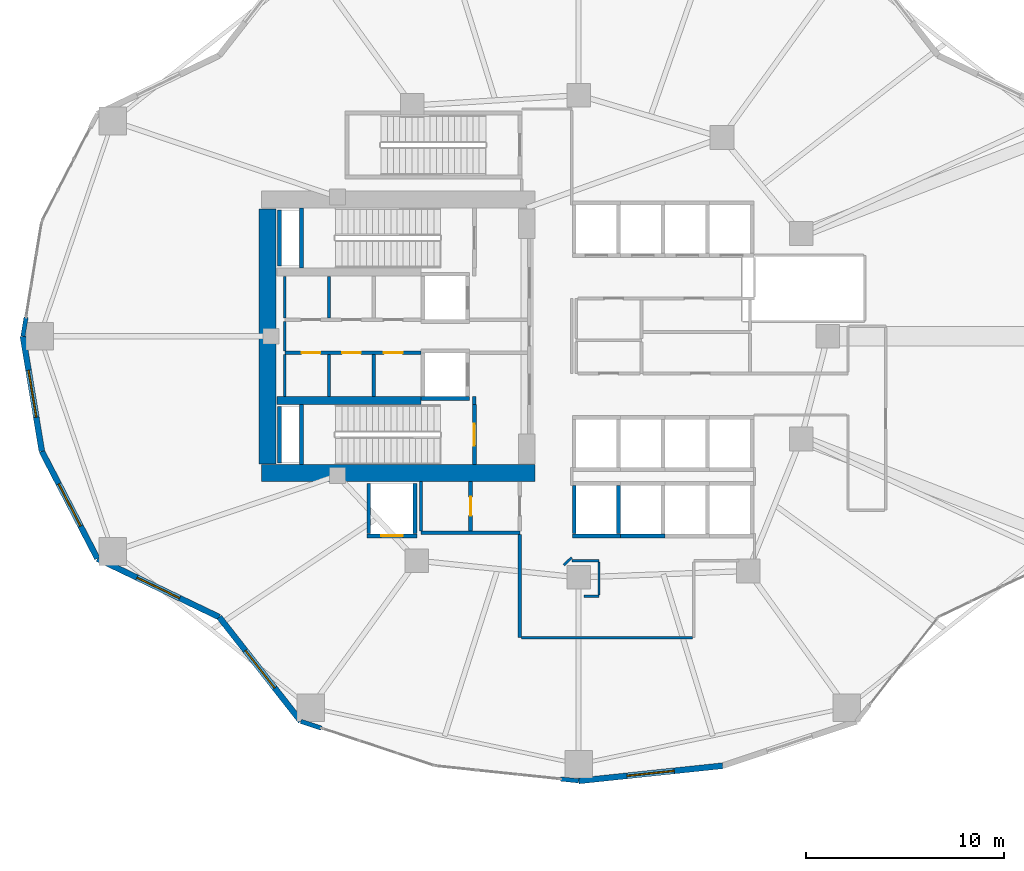
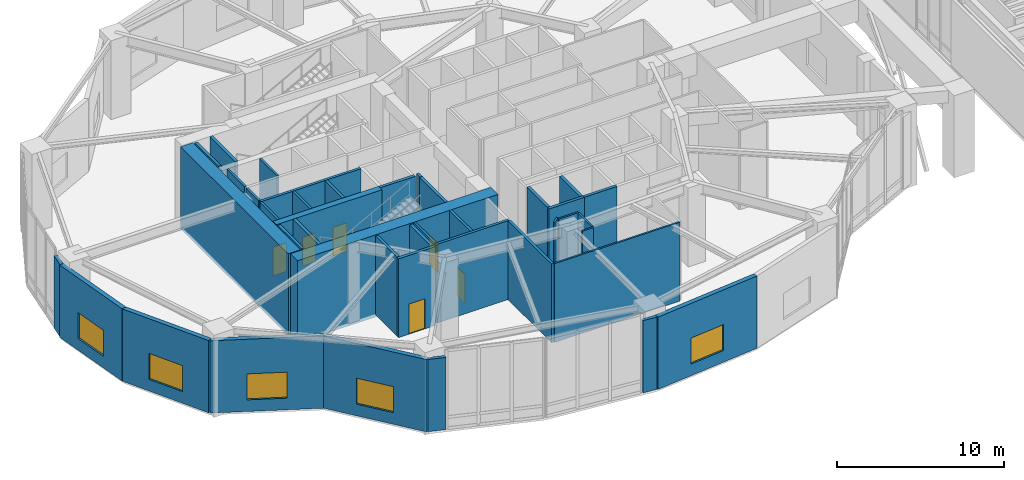
# One storey, part 15 of 25: 41 walls, 6 doors, 5 windows, 11 openings.
"""IFC4 building model written with IfcOpenShell, lengths in metres."""

from ifc_helpers import new_model, si_unit, direction, frame, frame_2d, origin, place, context, subcontext, project, spatial, rectangle, extrude, material, layer, layer_set, type_object, element, fill, save


model = new_model("IFC4")

# Units and contexts
model_context = context("Model", 3, precision=1e-05, world=origin(), true_north=direction((0.0, 1.0)))
body_context = subcontext(model_context, "Body", "Model", "MODEL_VIEW")
ifc_project = project(units=[si_unit("LENGTHUNIT", "METRE"), si_unit("AREAUNIT", "SQUARE_METRE"), si_unit("VOLUMEUNIT", "CUBIC_METRE"), si_unit("PLANEANGLEUNIT", "RADIAN"), si_unit("MASSUNIT", "GRAM", prefix="KILO")], contexts=[model_context])

# Site, building, storey
site_placement = place(None, origin())
site = spatial("IfcSite", under=ifc_project, at=site_placement, CompositionType="ELEMENT")
building_placement = place(site_placement, origin())
building = spatial("IfcBuilding", under=site, at=building_placement, Name="Kolvaren Gate Tower and Convention Centre", CompositionType="ELEMENT")
storey_placement = place(building_placement, frame((0.0, 0.0, 15.0)))
storey = spatial("IfcBuildingStorey", under=building, at=storey_placement, Name="L03", CompositionType="ELEMENT", Elevation=15.0)

# Wall
ifc_material_1 = material(Name="Autoclaved Aerated Masonry Blockwork Class 4 (4.0 MPa)", Category="masonry")
ifc_layer_1 = layer(ifc_material_1, 0.179931640625)
ifc_layer_set_1 = layer_set([ifc_layer_1], Name="Autoclaved Aerated Masonry Blockwork Class 4 (4.0 MPa)")
wall_type_1 = type_object("IfcWallType", Name="ARCH-WL-COMP-180", PredefinedType="SOLIDWALL", material=ifc_layer_set_1)
wall_1_placement = place(storey_placement, frame((24.85009765625, 23.5400390625, 0.0), z_axis=(0.0, 0.0, 1.0), x_axis=(0.0, 1.0, 0.0)))
element("IfcWall", 1, at=wall_1_placement, inside=storey, type_object=wall_type_1, Name="Interior Partition WL-L03-INT-001", PredefinedType="SOLIDWALL", context=body_context, shape_type="SweptSolid", body=[
    extrude(rectangle(XDim=0.419921875, YDim=0.179931640625, at=frame_2d((0.2099609375, 0.0))), origin(), (0.0, 0.0, 1.0), 5.760009765625),
])

# Wall, openings, doors
wall_2_placement = place(storey_placement, frame((15.25, 26.159912109375, 0.0), z_axis=(0.0, 0.0, 1.0), x_axis=(1.0, 0.0, 0.0)))
wall_2 = element("IfcWall", 2, at=wall_2_placement, inside=storey, type_object=wall_type_1, Name="Interior Partition WL-L03-INT-005", PredefinedType="SOLIDWALL", context=body_context, shape_type="SweptSolid", body=[
    extrude(rectangle(XDim=6.89990234375, YDim=0.179931640625, at=frame_2d((3.449951171875, 0.0))), origin(), (0.0, 0.0, 1.0), 5.760009765625),
])
opening_1_placement = place(wall_2_placement, frame((5.02001953125, 0.0, 0.0)))
opening_1 = element("IfcOpeningElement", 3, at=opening_1_placement, cuts=wall_2, Name="Opening DR-01", PredefinedType="OPENING", context=body_context, shape_type="SweptSolid", body=[
    extrude(rectangle(XDim=0.949951171875, YDim=2.10009765625, at=frame_2d((0.47509765625, 1.050048828125))), frame((0.0, 0.099853515625, 0.0), z_axis=(0.0, -1.0, 0.0), x_axis=(1.0, 0.0, 0.0)), (0.0, 0.0, 1.0), 0.199951171875),
])
opening_2_placement = place(wall_2_placement, frame((0.85498046875, 0.0, 0.0)))
opening_2 = element("IfcOpeningElement", 4, at=opening_2_placement, cuts=wall_2, Name="Opening DR-01", PredefinedType="OPENING", context=body_context, shape_type="SweptSolid", body=[
    extrude(rectangle(XDim=0.949951171875, YDim=2.10009765625, at=frame_2d((0.47509765625, 1.050048828125))), frame((0.0, 0.099853515625, 0.0), z_axis=(0.0, -1.0, 0.0), x_axis=(1.0, 0.0, 0.0)), (0.0, 0.0, 1.0), 0.199951171875),
])
opening_3_placement = place(wall_2_placement, frame((2.89990234375, 0.0, 0.0)))
opening_3 = element("IfcOpeningElement", 5, at=opening_3_placement, cuts=wall_2, Name="Opening DR-01", PredefinedType="OPENING", context=body_context, shape_type="SweptSolid", body=[
    extrude(rectangle(XDim=0.949951171875, YDim=2.10009765625, at=frame_2d((0.47509765625, 1.050048828125))), frame((0.0, 0.099853515625, 0.0), z_axis=(0.0, -1.0, 0.0), x_axis=(1.0, 0.0, 0.0)), (0.0, 0.0, 1.0), 0.199951171875),
])
ifc_material_2 = material(Name="Painted Architectural Steelwork ASTM A500 Grade C 345 MPa", Category="steel")
door_type_1 = type_object("IfcDoorType", Name="ARCH-DR-RISER-950", OperationType="SINGLE_SWING_RIGHT", PredefinedType="DOOR", material=ifc_material_2)
door_1_placement = place(opening_1_placement, origin())
door_1 = element("IfcDoor", 6, at=door_1_placement, inside=storey, type_object=door_type_1, Name="Domestic Water Meter Closet Door", OperationType="SINGLE_SWING_RIGHT", OverallHeight=2.10009765625, OverallWidth=0.949951171875, PredefinedType="DOOR", context=body_context, shape_type="SweptSolid", body=[
    extrude(rectangle(XDim=0.949951171875, YDim=2.10009765625, at=frame_2d((0.47509765625, 1.050048828125))), frame((0.0, 0.02490234375, 0.0), z_axis=(0.0, -1.0, 0.0), x_axis=(1.0, 0.0, 0.0)), (0.0, 0.0, 1.0), 0.050048828125),
])
fill(opening_1, door_1)
door_2_placement = place(opening_2_placement, origin())
door_2 = element("IfcDoor", 7, at=door_2_placement, inside=storey, type_object=door_type_1, Name="Beverage Service Pantry Door", OperationType="SINGLE_SWING_LEFT", OverallHeight=2.10009765625, OverallWidth=0.949951171875, PredefinedType="DOOR", context=body_context, shape_type="SweptSolid", body=[
    extrude(rectangle(XDim=0.949951171875, YDim=2.10009765625, at=frame_2d((0.47509765625, 1.050048828125))), frame((0.0, 0.02490234375, 0.0), z_axis=(0.0, -1.0, 0.0), x_axis=(1.0, 0.0, 0.0)), (0.0, 0.0, 1.0), 0.050048828125),
])
fill(opening_2, door_2)
door_3_placement = place(opening_3_placement, origin())
door_3 = element("IfcDoor", 8, at=door_3_placement, inside=storey, type_object=door_type_1, Name="Archive Supply Closet Door", OperationType="SINGLE_SWING_RIGHT", OverallHeight=2.10009765625, OverallWidth=0.949951171875, PredefinedType="DOOR", context=body_context, shape_type="SweptSolid", body=[
    extrude(rectangle(XDim=0.949951171875, YDim=2.10009765625, at=frame_2d((0.47509765625, 1.050048828125))), frame((0.0, 0.02490234375, 0.0), z_axis=(0.0, -1.0, 0.0), x_axis=(1.0, 0.0, 0.0)), (0.0, 0.0, 1.0), 0.050048828125),
])
fill(opening_3, door_3)

# Walls
wall_3_placement = place(storey_placement, frame((19.75, 23.9619140625, 0.0), z_axis=(0.0, 0.0, 1.0), x_axis=(0.0, 1.0, 0.0)))
element("IfcWall", 9, at=wall_3_placement, inside=storey, type_object=wall_type_1, Name="Interior Partition WL-L03-INT-007", PredefinedType="SOLIDWALL", context=body_context, shape_type="SweptSolid", body=[
    extrude(rectangle(XDim=2.106201171875, YDim=0.179931640625, at=frame_2d((1.05322265625, 0.0))), origin(), (0.0, 0.0, 1.0), 5.760009765625),
])
wall_4_placement = place(storey_placement, frame((22.14990234375, 17.050048828125, 0.0), z_axis=(0.0, 0.0, 1.0), x_axis=(1.0, 0.0, 0.0)))
element("IfcWall", 10, at=wall_4_placement, inside=storey, type_object=wall_type_1, Name="Interior Partition WL-L03-INT-011", PredefinedType="SOLIDWALL", context=body_context, shape_type="SweptSolid", body=[
    extrude(rectangle(XDim=5.0, YDim=0.179931640625, at=frame_2d((2.5, 0.0))), origin(), (0.0, 0.0, 1.0), 5.760009765625),
])

# Wall, opening, door
wall_5_placement = place(storey_placement, frame((24.64990234375, 17.14208984375, 0.0), z_axis=(0.0, 0.0, 1.0), x_axis=(0.0, 1.0, 0.0)))
wall_5 = element("IfcWall", 11, at=wall_5_placement, inside=storey, type_object=wall_type_1, Name="Interior Partition WL-L03-INT-013", PredefinedType="SOLIDWALL", context=body_context, shape_type="SweptSolid", body=[
    extrude(rectangle(XDim=2.505859375, YDim=0.179931640625, at=frame_2d((1.2529296875, 0.0))), origin(), (0.0, 0.0, 1.0), 5.760009765625),
])
opening_4_placement = place(wall_5_placement, frame((0.778076171875, 0.0, 0.0)))
opening_4 = element("IfcOpeningElement", 12, at=opening_4_placement, cuts=wall_5, Name="Opening DR-01", PredefinedType="OPENING", context=body_context, shape_type="SweptSolid", body=[
    extrude(rectangle(XDim=0.949951171875, YDim=2.10009765625, at=frame_2d((0.47509765625, 1.050048828125))), frame((0.0, 0.099853515625, 0.0), z_axis=(0.0, -1.0, 0.0), x_axis=(1.0, 0.0, 0.0)), (0.0, 0.0, 1.0), 0.199951171875),
])
door_4_placement = place(opening_4_placement, origin())
door_4 = element("IfcDoor", 13, at=door_4_placement, inside=storey, type_object=door_type_1, Name="West Valet Store Door", OperationType="SINGLE_SWING_RIGHT", OverallHeight=2.10009765625, OverallWidth=0.949951171875, PredefinedType="DOOR", context=body_context, shape_type="SweptSolid", body=[
    extrude(rectangle(XDim=0.949951171875, YDim=2.10009765625, at=frame_2d((0.47509765625, 1.050048828125))), frame((0.0, 0.02490234375, 0.0), z_axis=(0.0, -1.0, 0.0), x_axis=(1.0, 0.0, 0.0)), (0.0, 0.0, 1.0), 0.050048828125),
])
fill(opening_4, door_4)

# Walls
wall_6_placement = place(storey_placement, frame((27.14990234375, 11.75, 0.0), z_axis=(0.0, 0.0, 1.0), x_axis=(0.0, 1.0, 0.0)))
element("IfcWall", 14, at=wall_6_placement, inside=storey, type_object=wall_type_1, Name="Interior Partition WL-L03-INT-014", PredefinedType="SOLIDWALL", context=body_context, shape_type="SweptSolid", body=[
    extrude(rectangle(XDim=5.2080078125, YDim=0.179931640625, at=frame_2d((2.60400390625, 0.0))), origin(), (0.0, 0.0, 1.0), 5.760009765625),
])
ifc_material_3 = material(Name="Fire-Rated Acoustic Gypsum Stud Partition", Category="gypsum")
ifc_layer_2 = layer(ifc_material_3, 0.1201171875)
ifc_layer_set_2 = layer_set([ifc_layer_2], Name="Fire-Rated Acoustic Gypsum Stud Partition")
wall_type_2 = type_object("IfcWallType", Name="ARCH-WL-PART-120", PredefinedType="PARTITIONING", material=ifc_layer_set_2)
wall_7_placement = place(storey_placement, frame((29.780029296875, 15.64990234375, 0.0), z_axis=(0.0, 0.0, 1.0), x_axis=(1.0, 0.0, 0.0)))
element("IfcWall", 15, at=wall_7_placement, inside=storey, type_object=wall_type_2, Name="Interior Partition WL-L03-INT-022", PredefinedType="PARTITIONING", context=body_context, shape_type="SweptSolid", body=[
    extrude(rectangle(XDim=1.369873046875, YDim=0.1201171875, at=frame_2d((0.68505859375, 0.0))), origin(), (0.0, 0.0, 1.0), 5.760009765625),
])
wall_8_placement = place(storey_placement, frame((27.241943359375, 11.75, 0.0), z_axis=(0.0, 0.0, 1.0), x_axis=(1.0, 0.0, 0.0)))
element("IfcWall", 16, at=wall_8_placement, inside=storey, type_object=wall_type_2, Name="Interior Partition WL-L03-INT-025", PredefinedType="PARTITIONING", context=body_context, shape_type="SweptSolid", body=[
    extrude(rectangle(XDim=8.64599609375, YDim=0.1201171875, at=frame_2d((4.322998046875, 0.0))), origin(), (0.0, 0.0, 1.0), 5.760009765625),
])
wall_9_placement = place(storey_placement, frame((29.366943359375, 15.422119140625, 0.0), z_axis=(0.0, 0.0, 1.0), x_axis=(0.730667420492, 0.682733564893, 0.0)))
element("IfcWall", 17, at=wall_9_placement, inside=storey, type_object=wall_type_2, Name="Interior Partition WL-L03-INT-039", PredefinedType="PARTITIONING", context=body_context, shape_type="SweptSolid", body=[
    extrude(rectangle(XDim=0.5654296875, YDim=0.1201171875, at=frame_2d((0.28271484375, 0.0))), origin(), (0.0, 0.0, 1.0), 5.760009765625),
])
wall_10_placement = place(storey_placement, frame((30.39111328125, 13.85009765625, 0.0), z_axis=(0.0, 0.0, 1.0), x_axis=(1.0, 0.0, 0.0)))
element("IfcWall", 18, at=wall_10_placement, inside=storey, type_object=wall_type_2, Name="Interior Partition WL-L03-INT-040", PredefinedType="PARTITIONING", context=body_context, shape_type="SweptSolid", body=[
    extrude(rectangle(XDim=0.7587890625, YDim=0.1201171875, at=frame_2d((0.37939453125, 0.0))), origin(), (0.0, 0.0, 1.0), 5.760009765625),
])
wall_11_placement = place(storey_placement, frame((31.14990234375, 13.912109375, 0.0), z_axis=(0.0, 0.0, 1.0), x_axis=(0.0, 1.0, 0.0)))
element("IfcWall", 19, at=wall_11_placement, inside=storey, type_object=wall_type_2, Name="Interior Partition WL-L03-INT-041", PredefinedType="PARTITIONING", context=body_context, shape_type="SweptSolid", body=[
    extrude(rectangle(XDim=1.67578125, YDim=0.1201171875, at=frame_2d((0.837890625, 0.0))), origin(), (0.0, 0.0, 1.0), 5.760009765625),
])
ifc_material_4 = material(Name="Bogota Sabana Bush-Hammered Sandstone Cladding", Category="masonry")
ifc_layer_3 = layer(ifc_material_4, 0.219970703125)
ifc_layer_set_3 = layer_set([ifc_layer_3], Name="Bogota Sabana Bush-Hammered Sandstone Cladding")
wall_type_3 = type_object("IfcWallType", Name="ARCH-WL-PIER-220", PredefinedType="SOLIDWALL", material=ifc_layer_set_3)
wall_12_placement = place(storey_placement, frame((2.0, 27.0, 0.0), z_axis=(0.0, 0.0, 1.0), x_axis=(0.162253212939, 0.986749154999, 0.0)))
element("IfcWall", 20, at=wall_12_placement, inside=storey, type_object=wall_type_3, Name="Tower L03 Unitised Curtain Wall CW-POD-GLZ Bay 11 Left Column Pier Wrap", PredefinedType="SOLIDWALL", context=body_context, shape_type="SweptSolid", body=[
    extrude(rectangle(XDim=0.97802734375, YDim=0.219970703125, at=frame_2d((0.489013671875, 0.0))), origin(), (0.0, 0.0, 1.0), 5.282958984375),
])
wall_13_placement = place(storey_placement, frame((16.0625, 7.514404296875, 0.0), z_axis=(0.0, 0.0, 1.0), x_axis=(0.949217086672, -0.314621872045, 0.0)))
element("IfcWall", 21, at=wall_13_placement, inside=storey, type_object=wall_type_3, Name="Tower L03 Unitised Curtain Wall CW-POD-GLZ Bay 16 Left Column Pier Wrap", PredefinedType="SOLIDWALL", context=body_context, shape_type="SweptSolid", body=[
    extrude(rectangle(XDim=1.094970703125, YDim=0.219970703125, at=frame_2d((0.54736328125, 0.0))), origin(), (0.0, 0.0, 1.0), 5.282958984375),
])
wall_14_placement = place(storey_placement, frame((29.201416015625, 4.597412109375, 0.0), z_axis=(0.0, 0.0, 1.0), x_axis=(0.994483824972, -0.104890046567, 0.0)))
element("IfcWall", 22, at=wall_14_placement, inside=storey, type_object=wall_type_3, Name="Tower L03 Unitised Curtain Wall CW-POD-GLZ Bay 17 Right Column Pier Wrap", PredefinedType="SOLIDWALL", context=body_context, shape_type="SweptSolid", body=[
    extrude(rectangle(XDim=0.9287109375, YDim=0.219970703125, at=frame_2d((0.46435546875, 0.0))), origin(), (0.0, 0.0, 1.0), 5.282958984375),
])
ifc_layer_4 = layer(ifc_material_1, 0.199951171875)
ifc_layer_set_4 = layer_set([ifc_layer_4], Name="Autoclaved Aerated Masonry Blockwork Class 4 (4.0 MPa)")
wall_type_4 = type_object("IfcWallType", Name="ARCH-WL-SHAFT-200", PredefinedType="SOLIDWALL", material=ifc_layer_set_4)
wall_15_placement = place(storey_placement, frame((22.14990234375, 23.860107421875, 0.0), z_axis=(0.0, 0.0, 1.0), x_axis=(1.0, 0.0, 0.0)))
element("IfcWall", 23, at=wall_15_placement, inside=storey, type_object=wall_type_4, Name="Elevator FF-02 L03 Fire Shaft Wall S", PredefinedType="SOLIDWALL", context=body_context, shape_type="SweptSolid", body=[
    extrude(rectangle(XDim=2.4501953125, YDim=0.199951171875, at=frame_2d((1.22509765625, 0.0))), origin(), (0.0, 0.0, 1.0), 5.760009765625),
])

# Wall, opening, door
wall_16_placement = place(storey_placement, frame((19.39990234375, 16.89990234375, 0.0), z_axis=(0.0, 0.0, 1.0), x_axis=(1.0, 0.0, 0.0)))
wall_16 = element("IfcWall", 24, at=wall_16_placement, inside=storey, type_object=wall_type_4, Name="Elevator SV-01 L03 Fire Shaft Wall S", PredefinedType="SOLIDWALL", context=body_context, shape_type="SweptSolid", body=[
    extrude(rectangle(XDim=2.550048828125, YDim=0.199951171875, at=frame_2d((1.27490234375, 0.0))), origin(), (0.0, 0.0, 1.0), 5.760009765625),
])
opening_5_placement = place(wall_16_placement, frame((0.72509765625, 0.0, 0.0)))
opening_5 = element("IfcOpeningElement", 25, at=opening_5_placement, cuts=wall_16, Name="Opening LD", PredefinedType="OPENING", context=body_context, shape_type="SweptSolid", body=[
    extrude(rectangle(XDim=1.10009765625, YDim=2.199951171875, at=frame_2d((0.550048828125, 1.10009765625))), frame((0.0, 0.10986328125, 0.0), z_axis=(0.0, -1.0, 0.0), x_axis=(1.0, 0.0, 0.0)), (0.0, 0.0, 1.0), 0.219970703125),
])
ifc_material_5 = material(Name="Brushed Stainless Steel Grade 316L", Category="steel")
door_type_2 = type_object("IfcDoorType", Name="ARCH-DR-LIFT-1100", OperationType="SLIDING_TO_LEFT", PredefinedType="DOOR", material=ifc_material_5)
door_5_placement = place(opening_5_placement, origin())
door_5 = element("IfcDoor", 26, at=door_5_placement, inside=storey, type_object=door_type_2, Name="Elevator SV-01 L03 Sliding Landing Door", OperationType="SLIDING_TO_LEFT", OverallHeight=2.199951171875, OverallWidth=1.10009765625, PredefinedType="DOOR", context=body_context, shape_type="SweptSolid", body=[
    extrude(rectangle(XDim=1.10009765625, YDim=2.199951171875, at=frame_2d((0.550048828125, 1.10009765625))), frame((0.0, 0.02490234375, 0.0), z_axis=(0.0, -1.0, 0.0), x_axis=(1.0, 0.0, 0.0)), (0.0, 0.0, 1.0), 0.050048828125),
])
fill(opening_5, door_5)

# Walls
for number, where, z_axis, x_axis, name in (
    (27, (19.5, 17.010009765625, 0.0), (0.0, 0.0, 1.0), (0.0, 1.0, 0.0), "Elevator SV-01 L03 Fire Shaft Wall W"),
    (28, (21.85009765625, 17.010009765625, 0.0), (0.0, 0.0, 1.0), (0.0, 1.0, 0.0), "Elevator SV-01 L03 Fire Shaft Wall E"),
):
    element("IfcWall", number, at=place(storey_placement, frame(where, z_axis=z_axis, x_axis=x_axis)), inside=storey, type_object=wall_type_4, Name=name, PredefinedType="SOLIDWALL", context=body_context, shape_type="SweptSolid", body=[
        extrude(rectangle(XDim=2.530029296875, YDim=0.199951171875, at=frame_2d((1.26513671875, 0.0))), origin(), (0.0, 0.0, 1.0), 5.760009765625),
    ])
wall_17_placement = place(storey_placement, frame((29.800048828125, 16.89990234375, 0.0), z_axis=(0.0, 0.0, 1.0), x_axis=(1.0, 0.0, 0.0)))
element("IfcWall", 29, at=wall_17_placement, inside=storey, type_object=wall_type_4, Name="Elevator PL-05 L03 Fire Shaft Wall S", PredefinedType="SOLIDWALL", context=body_context, shape_type="SweptSolid", body=[
    extrude(rectangle(XDim=2.449951171875, YDim=0.199951171875, at=frame_2d((1.22509765625, 0.0))), origin(), (0.0, 0.0, 1.0), 5.760009765625),
])
for number, where, z_axis, x_axis, name in (
    (30, (29.89990234375, 17.010009765625, 0.0), (0.0, 0.0, 1.0), (0.0, 1.0, 0.0), "Elevator PL-05 L03 Fire Shaft Wall W"),
    (31, (32.14990234375, 17.010009765625, 0.0), (0.0, 0.0, 1.0), (0.0, 1.0, 0.0), "Elevator PL-05 L03 Fire Shaft Wall E"),
):
    element("IfcWall", number, at=place(storey_placement, frame(where, z_axis=z_axis, x_axis=x_axis)), inside=storey, type_object=wall_type_4, Name=name, PredefinedType="SOLIDWALL", context=body_context, shape_type="SweptSolid", body=[
        extrude(rectangle(XDim=2.429931640625, YDim=0.199951171875, at=frame_2d((1.21484375, 0.0))), origin(), (0.0, 0.0, 1.0), 5.760009765625),
    ])
wall_18_placement = place(storey_placement, frame((32.25, 16.89990234375, 0.0), z_axis=(0.0, 0.0, 1.0), x_axis=(1.0, 0.0, 0.0)))
element("IfcWall", 32, at=wall_18_placement, inside=storey, type_object=wall_type_4, Name="Elevator PL-06 L03 Fire Shaft Wall S", PredefinedType="SOLIDWALL", context=body_context, shape_type="SweptSolid", body=[
    extrude(rectangle(XDim=2.25, YDim=0.199951171875, at=frame_2d((1.125, 0.0))), origin(), (0.0, 0.0, 1.0), 5.760009765625),
])
for number, where, z_axis, x_axis, name in (
    (33, (14.989990234375, 30.550048828125, 0.0), (0.0, 0.0, 1.0), (0.0, 1.0, 0.0), "Vertical Shaft HVR L03 EI-120 Enclosure Wall W"),
    (34, (14.989990234375, 20.60009765625, 0.0), (0.0, 0.0, 1.0), (0.0, 1.0, 0.0), "Vertical Shaft MPR L03 EI-120 Enclosure Wall W"),
):
    element("IfcWall", number, at=place(storey_placement, frame(where, z_axis=z_axis, x_axis=x_axis)), inside=storey, type_object=wall_type_4, Name=name, PredefinedType="SOLIDWALL", context=body_context, shape_type="SweptSolid", body=[
        extrude(rectangle(XDim=2.849853515625, YDim=0.199951171875, at=frame_2d((1.4248046875, 0.0))), origin(), (0.0, 0.0, 1.0), 5.760009765625),
    ])

# Wall, opening, window
ifc_material_6 = material(Name="Piedmont Cream Honed Limestone Cladding", Category="masonry")
ifc_layer_5 = layer(ifc_material_6, 0.300048828125)
ifc_layer_set_5 = layer_set([ifc_layer_5], Name="Piedmont Cream Honed Limestone Cladding")
wall_type_5 = type_object("IfcWallType", Name="ARCH-WL-STONE-300", PredefinedType="SOLIDWALL", material=ifc_layer_set_5)
wall_19_placement = place(storey_placement, frame((2.0, 27.0, 0.0), z_axis=(0.0, 0.0, 1.0), x_axis=(0.162366057843, -0.98673059305, 0.0)))
wall_19 = element("IfcWall", 35, at=wall_19_placement, inside=storey, type_object=wall_type_5, Name="Tower L03 Honed Stone Spandrel Wall EW-12", PredefinedType="SOLIDWALL", context=body_context, shape_type="SweptSolid", body=[
    extrude(rectangle(XDim=5.90185546875, YDim=0.300048828125, at=frame_2d((2.950927734375, 0.0))), origin(), (0.0, 0.0, 1.0), 5.282958984375),
])
opening_6_placement = place(wall_19_placement, frame((1.7509765625, 0.0, 0.85009765625)))
opening_6 = element("IfcOpeningElement", 36, at=opening_6_placement, cuts=wall_19, Name="Opening W-01", PredefinedType="OPENING", context=body_context, shape_type="SweptSolid", body=[
    extrude(rectangle(XDim=2.39990234375, YDim=1.89990234375, at=frame_2d((1.199951171875, 0.949951171875))), frame((0.0, 0.159912109375, 0.0), z_axis=(0.0, -1.0, 0.0), x_axis=(1.0, 0.0, 0.0)), (0.0, 0.0, 1.0), 0.320068359375),
])
ifc_material_7 = material(Name="Low-E Triple Insulated Glazing Unit 44 mm", Category="glass")
window_type = type_object("IfcWindowType", Name="ARCH-WN-OFF-2400", PartitioningType="SINGLE_PANEL", PredefinedType="WINDOW", material=ifc_material_7)
window_1_placement = place(opening_6_placement, origin())
window_1 = element("IfcWindow", 37, at=window_1_placement, inside=storey, type_object=window_type, Name="Tower L03 Punched Stone Facade Window W-12", OverallHeight=1.89990234375, OverallWidth=2.39990234375, PartitioningType="SINGLE_PANEL", PredefinedType="WINDOW", context=body_context, shape_type="SweptSolid", body=[
    extrude(rectangle(XDim=2.39990234375, YDim=1.89990234375, at=frame_2d((1.199951171875, 0.949951171875))), frame((0.0, 0.030029296875, 0.0), z_axis=(0.0, -1.0, 0.0), x_axis=(1.0, 0.0, 0.0)), (0.0, 0.0, 1.0), 0.06005859375),
])
fill(opening_6, window_1)

wall_20_placement = place(storey_placement, frame((2.958251953125, 21.176513671875, 0.0), z_axis=(0.0, 0.0, 1.0), x_axis=(0.459809804413, -0.88801742312, 0.0)))
wall_20 = element("IfcWall", 38, at=wall_20_placement, inside=storey, type_object=wall_type_5, Name="Tower L03 Honed Stone Spandrel Wall EW-13", PredefinedType="SOLIDWALL", context=body_context, shape_type="SweptSolid", body=[
    extrude(rectangle(XDim=6.11083984375, YDim=0.300048828125, at=frame_2d((3.055419921875, 0.0))), origin(), (0.0, 0.0, 1.0), 5.282958984375),
])
opening_7_placement = place(wall_20_placement, frame((1.85498046875, 0.0, 0.85009765625)))
opening_7 = element("IfcOpeningElement", 39, at=opening_7_placement, cuts=wall_20, Name="Opening W-01", PredefinedType="OPENING", context=body_context, shape_type="SweptSolid", body=[
    extrude(rectangle(XDim=2.39990234375, YDim=1.89990234375, at=frame_2d((1.199951171875, 0.949951171875))), frame((0.0, 0.159912109375, 0.0), z_axis=(0.0, -1.0, 0.0), x_axis=(1.0, 0.0, 0.0)), (0.0, 0.0, 1.0), 0.320068359375),
])
window_2_placement = place(opening_7_placement, origin())
window_2 = element("IfcWindow", 40, at=window_2_placement, inside=storey, type_object=window_type, Name="Tower L03 Punched Stone Facade Window W-13", OverallHeight=1.89990234375, OverallWidth=2.39990234375, PartitioningType="SINGLE_PANEL", PredefinedType="WINDOW", context=body_context, shape_type="SweptSolid", body=[
    extrude(rectangle(XDim=2.39990234375, YDim=1.89990234375, at=frame_2d((1.199951171875, 0.949951171875))), frame((0.0, 0.030029296875, 0.0), z_axis=(0.0, -1.0, 0.0), x_axis=(1.0, 0.0, 0.0)), (0.0, 0.0, 1.0), 0.06005859375),
])
fill(opening_7, window_2)

wall_21_placement = place(storey_placement, frame((5.76806640625, 15.75, 0.0), z_axis=(0.0, 0.0, 1.0), x_axis=(0.901360393999, -0.433069786673, 0.0)))
wall_21 = element("IfcWall", 41, at=wall_21_placement, inside=storey, type_object=wall_type_5, Name="Tower L03 Honed Stone Spandrel Wall EW-14", PredefinedType="SOLIDWALL", context=body_context, shape_type="SweptSolid", body=[
    extrude(rectangle(XDim=6.841552734375, YDim=0.300048828125, at=frame_2d((3.4208984375, 0.0))), origin(), (0.0, 0.0, 1.0), 5.282958984375),
])
opening_8_placement = place(wall_21_placement, frame((2.220947265625, 0.0, 0.85009765625)))
opening_8 = element("IfcOpeningElement", 42, at=opening_8_placement, cuts=wall_21, Name="Opening W-01", PredefinedType="OPENING", context=body_context, shape_type="SweptSolid", body=[
    extrude(rectangle(XDim=2.39990234375, YDim=1.89990234375, at=frame_2d((1.199951171875, 0.949951171875))), frame((0.0, 0.159912109375, 0.0), z_axis=(0.0, -1.0, 0.0), x_axis=(1.0, 0.0, 0.0)), (0.0, 0.0, 1.0), 0.320068359375),
])
window_3_placement = place(opening_8_placement, origin())
window_3 = element("IfcWindow", 43, at=window_3_placement, inside=storey, type_object=window_type, Name="Tower L03 Punched Stone Facade Window W-14", OverallHeight=1.89990234375, OverallWidth=2.39990234375, PartitioningType="SINGLE_PANEL", PredefinedType="WINDOW", context=body_context, shape_type="SweptSolid", body=[
    extrude(rectangle(XDim=2.39990234375, YDim=1.89990234375, at=frame_2d((1.199951171875, 0.949951171875))), frame((0.0, 0.030029296875, 0.0), z_axis=(0.0, -1.0, 0.0), x_axis=(1.0, 0.0, 0.0)), (0.0, 0.0, 1.0), 0.06005859375),
])
fill(opening_8, window_3)

wall_22_placement = place(storey_placement, frame((11.934814453125, 12.787109375, 0.0), z_axis=(0.0, 0.0, 1.0), x_axis=(0.616421309777, -0.787416515482, 0.0)))
wall_22 = element("IfcWall", 44, at=wall_22_placement, inside=storey, type_object=wall_type_5, Name="Tower L03 Honed Stone Spandrel Wall EW-15", PredefinedType="SOLIDWALL", context=body_context, shape_type="SweptSolid", body=[
    extrude(rectangle(XDim=6.6962890625, YDim=0.300048828125, at=frame_2d((3.34814453125, 0.0))), origin(), (0.0, 0.0, 1.0), 5.282958984375),
])
opening_9_placement = place(wall_22_placement, frame((2.14794921875, 0.0, 0.85009765625)))
opening_9 = element("IfcOpeningElement", 45, at=opening_9_placement, cuts=wall_22, Name="Opening W-01", PredefinedType="OPENING", context=body_context, shape_type="SweptSolid", body=[
    extrude(rectangle(XDim=2.39990234375, YDim=1.89990234375, at=frame_2d((1.199951171875, 0.949951171875))), frame((0.0, 0.159912109375, 0.0), z_axis=(0.0, -1.0, 0.0), x_axis=(1.0, 0.0, 0.0)), (0.0, 0.0, 1.0), 0.320068359375),
])
window_4_placement = place(opening_9_placement, origin())
window_4 = element("IfcWindow", 46, at=window_4_placement, inside=storey, type_object=window_type, Name="Tower L03 Punched Stone Facade Window W-15", OverallHeight=1.89990234375, OverallWidth=2.39990234375, PartitioningType="SINGLE_PANEL", PredefinedType="WINDOW", context=body_context, shape_type="SweptSolid", body=[
    extrude(rectangle(XDim=2.39990234375, YDim=1.89990234375, at=frame_2d((1.199951171875, 0.949951171875))), frame((0.0, 0.030029296875, 0.0), z_axis=(0.0, -1.0, 0.0), x_axis=(1.0, 0.0, 0.0)), (0.0, 0.0, 1.0), 0.06005859375),
])
fill(opening_9, window_4)

wall_23_placement = place(storey_placement, frame((30.125, 4.5, 0.0), z_axis=(0.0, 0.0, 1.0), x_axis=(0.994500334317, 0.104733399844, 0.0)))
wall_23 = element("IfcWall", 47, at=wall_23_placement, inside=storey, type_object=wall_type_5, Name="Tower L03 Honed Stone Spandrel Wall EW-18", PredefinedType="SOLIDWALL", context=body_context, shape_type="SweptSolid", body=[
    extrude(rectangle(XDim=7.319580078125, YDim=0.300048828125, at=frame_2d((3.65966796875, 0.0))), origin(), (0.0, 0.0, 1.0), 5.282958984375),
])
opening_10_placement = place(wall_23_placement, frame((2.4599609375, 0.0, 0.85009765625)))
opening_10 = element("IfcOpeningElement", 48, at=opening_10_placement, cuts=wall_23, Name="Opening W-01", PredefinedType="OPENING", context=body_context, shape_type="SweptSolid", body=[
    extrude(rectangle(XDim=2.39990234375, YDim=1.89990234375, at=frame_2d((1.199951171875, 0.949951171875))), frame((0.0, 0.159912109375, 0.0), z_axis=(0.0, -1.0, 0.0), x_axis=(1.0, 0.0, 0.0)), (0.0, 0.0, 1.0), 0.320068359375),
])
window_5_placement = place(opening_10_placement, origin())
window_5 = element("IfcWindow", 49, at=window_5_placement, inside=storey, type_object=window_type, Name="Tower L03 Punched Stone Facade Window W-18", OverallHeight=1.89990234375, OverallWidth=2.39990234375, PartitioningType="SINGLE_PANEL", PredefinedType="WINDOW", context=body_context, shape_type="SweptSolid", body=[
    extrude(rectangle(XDim=2.39990234375, YDim=1.89990234375, at=frame_2d((1.199951171875, 0.949951171875))), frame((0.0, 0.030029296875, 0.0), z_axis=(0.0, -1.0, 0.0), x_axis=(1.0, 0.0, 0.0)), (0.0, 0.0, 1.0), 0.06005859375),
])
fill(opening_10, window_5)

# Walls
ifc_material_8 = material(Name="Moisture-Resistant Cement-Board Acoustic Partition", Category="gypsum")
ifc_layer_6 = layer(ifc_material_8, 0.14990234375)
ifc_layer_set_6 = layer_set([ifc_layer_6], Name="Moisture-Resistant Cement-Board Acoustic Partition")
wall_type_6 = type_object("IfcWallType", Name="ARCH-WL-WET-150", PredefinedType="PARTITIONING", material=ifc_layer_set_6)
wall_24_placement = place(storey_placement, frame((15.25, 23.9619140625, 0.0), z_axis=(0.0, 0.0, 1.0), x_axis=(0.0, 1.0, 0.0)))
element("IfcWall", 50, at=wall_24_placement, inside=storey, type_object=wall_type_6, Name="Interior Partition WL-L03-INT-006", PredefinedType="PARTITIONING", context=body_context, shape_type="SweptSolid", body=[
    extrude(rectangle(XDim=2.106201171875, YDim=0.14990234375, at=frame_2d((1.05322265625, 0.0))), origin(), (0.0, 0.0, 1.0), 5.760009765625),
])
wall_25_placement = place(storey_placement, frame((15.25, 26.251953125, 0.0), z_axis=(0.0, 0.0, 1.0), x_axis=(0.0, 1.0, 0.0)))
element("IfcWall", 51, at=wall_25_placement, inside=storey, type_object=wall_type_6, Name="Interior Partition WL-L03-INT-006 (2)", PredefinedType="PARTITIONING", context=body_context, shape_type="SweptSolid", body=[
    extrude(rectangle(XDim=1.49609375, YDim=0.14990234375, at=frame_2d((0.748046875, 0.0))), origin(), (0.0, 0.0, 1.0), 5.760009765625),
])
for number, where, z_axis, x_axis, name in (
    (52, (15.25, 27.931884765625, 0.0), (0.0, 0.0, 1.0), (0.0, 1.0, 0.0), "Interior Partition WL-L03-INT-006 (3)"),
    (53, (17.5, 23.9619140625, 0.0), (0.0, 0.0, 1.0), (0.0, 1.0, 0.0), "Interior Partition WL-L03-INT-009"),
    (54, (17.5, 27.931884765625, 0.0), (0.0, 0.0, 1.0), (0.0, 1.0, 0.0), "Interior Partition WL-L03-INT-010"),
):
    element("IfcWall", number, at=place(storey_placement, frame(where, z_axis=z_axis, x_axis=x_axis)), inside=storey, type_object=wall_type_6, Name=name, PredefinedType="PARTITIONING", context=body_context, shape_type="SweptSolid", body=[
        extrude(rectangle(XDim=2.106201171875, YDim=0.14990234375, at=frame_2d((1.05322265625, 0.0))), origin(), (0.0, 0.0, 1.0), 5.760009765625),
    ])
wall_26_placement = place(storey_placement, frame((22.14990234375, 17.14208984375, 0.0), z_axis=(0.0, 0.0, 1.0), x_axis=(0.0, 1.0, 0.0)))
element("IfcWall", 55, at=wall_26_placement, inside=storey, type_object=wall_type_6, Name="Interior Partition WL-L03-INT-012", PredefinedType="PARTITIONING", context=body_context, shape_type="SweptSolid", body=[
    extrude(rectangle(XDim=2.505859375, YDim=0.14990234375, at=frame_2d((1.2529296875, 0.0))), origin(), (0.0, 0.0, 1.0), 5.760009765625),
])
ifc_material_9 = material(Name="Concrete C50/60", Category="concrete")
ifc_layer_7 = layer(ifc_material_9, 0.419921875)
ifc_layer_set_7 = layer_set([ifc_layer_7], Name="Concrete C50/60")
wall_type_7 = type_object("IfcWallType", Name="STR-WL-CONV-420", PredefinedType="SHEAR", material=ifc_layer_set_7)
wall_27_placement = place(storey_placement, frame((14.85009765625, 23.75, -0.239990234375), z_axis=(0.0, 0.0, 1.0), x_axis=(1.0, 0.0, 0.0)))
element("IfcWall", 56, at=wall_27_placement, inside=storey, type_object=wall_type_7, Name="Tower L03 Offset Core Shear Wall WS", PredefinedType="SHEAR", context=body_context, shape_type="SweptSolid", body=[
    extrude(rectangle(XDim=7.2998046875, YDim=0.419921875, at=frame_2d((3.64990234375, 0.0))), origin(), (0.0, 0.0, 1.0), 6.0),
])
ifc_material_10 = material(Name="Concrete C70/85", Category="concrete")
ifc_layer_8 = layer(ifc_material_10, 0.85009765625)
ifc_layer_set_8 = layer_set([ifc_layer_8], Name="Concrete C70/85")
wall_type_8 = type_object("IfcWallType", Name="STR-WL-CORE-850", PredefinedType="SHEAR", material=ifc_layer_set_8)
wall_28_placement = place(storey_placement, frame((14.074951171875, 20.074951171875, -0.239990234375), z_axis=(0.0, 0.0, 1.0), x_axis=(1.0, 0.0, 0.0)))
element("IfcWall", 57, at=wall_28_placement, inside=storey, type_object=wall_type_8, Name="Tower L03 Offset Core Shear Wall S", PredefinedType="SHEAR", context=body_context, shape_type="SweptSolid", body=[
    extrude(rectangle(XDim=13.85009765625, YDim=0.85009765625, at=frame_2d((6.925048828125, 0.0))), origin(), (0.0, 0.0, 1.0), 6.0),
])
wall_29_placement = place(storey_placement, frame((14.375, 20.550048828125, -0.239990234375), z_axis=(0.0, 0.0, 1.0), x_axis=(0.0, 1.0, 0.0)))
element("IfcWall", 58, at=wall_29_placement, inside=storey, type_object=wall_type_8, Name="Tower L03 Offset Core Shear Wall W", PredefinedType="SHEAR", context=body_context, shape_type="SweptSolid", body=[
    extrude(rectangle(XDim=12.89990234375, YDim=0.85009765625, at=frame_2d((6.449951171875, 0.0))), origin(), (0.0, 0.0, 1.0), 6.0),
])
ifc_layer_9 = layer(ifc_material_9, 0.199951171875)
ifc_layer_set_9 = layer_set([ifc_layer_9], Name="Concrete C50/60")
wall_type_9 = type_object("IfcWallType", Name="STR-WL-SHAFT-200", PredefinedType="SHEAR", material=ifc_layer_set_9)
wall_30_placement = place(storey_placement, frame((16.10009765625, 30.4619140625, -0.239990234375), z_axis=(0.0, 0.0, 1.0), x_axis=(0.0, 1.0, 0.0)))
element("IfcWall", 59, at=wall_30_placement, inside=storey, type_object=wall_type_9, Name="Tower North Exit Stair ST-T1 L03 Structural Shear Enclosure Wall FAR", PredefinedType="SHEAR", context=body_context, shape_type="SweptSolid", body=[
    extrude(rectangle(XDim=3.0361328125, YDim=0.199951171875, at=frame_2d((1.51806640625, 0.0))), origin(), (0.0, 0.0, 1.0), 6.0),
])

# Wall, opening, door
wall_31_placement = place(storey_placement, frame((24.85009765625, 20.501953125, -0.239990234375), z_axis=(0.0, 0.0, 1.0), x_axis=(0.0, 1.0, 0.0)))
wall_31 = element("IfcWall", 60, at=wall_31_placement, inside=storey, type_object=wall_type_9, Name="Tower South Exit Stair ST-T2 L03 Structural Shear Enclosure Wall NEAR", PredefinedType="SHEAR", context=body_context, shape_type="SweptSolid", body=[
    extrude(rectangle(XDim=3.0380859375, YDim=0.199951171875, at=frame_2d((1.51904296875, 0.0))), origin(), (0.0, 0.0, 1.0), 6.0),
])
opening_11_placement = place(wall_31_placement, frame((0.968994140625, 0.0, 0.239990234375)))
opening_11 = element("IfcOpeningElement", 61, at=opening_11_placement, cuts=wall_31, Name="Opening DS-01", PredefinedType="OPENING", context=body_context, shape_type="SweptSolid", body=[
    extrude(rectangle(XDim=1.10009765625, YDim=2.14990234375, at=frame_2d((0.550048828125, 1.074951171875))), frame((0.0, 0.10986328125, 0.0), z_axis=(0.0, -1.0, 0.0), x_axis=(1.0, 0.0, 0.0)), (0.0, 0.0, 1.0), 0.219970703125),
])
door_type_3 = type_object("IfcDoorType", Name="ARCH-DR-STAIR-1100", OperationType="SINGLE_SWING_LEFT", PredefinedType="DOOR", material=ifc_material_2)
door_6_placement = place(opening_11_placement, origin())
door_6 = element("IfcDoor", 62, at=door_6_placement, inside=storey, type_object=door_type_3, Name="Tower South Exit Stair ST-T2 L03 Fire Exit Stair Door", OperationType="SINGLE_SWING_LEFT", OverallHeight=2.14990234375, OverallWidth=1.10009765625, PredefinedType="DOOR", context=body_context, shape_type="SweptSolid", body=[
    extrude(rectangle(XDim=1.10009765625, YDim=2.14990234375, at=frame_2d((0.550048828125, 1.074951171875))), frame((0.0, 0.02490234375, 0.0), z_axis=(0.0, -1.0, 0.0), x_axis=(1.0, 0.0, 0.0)), (0.0, 0.0, 1.0), 0.050048828125),
])
fill(opening_11, door_6)

# Wall
wall_32_placement = place(storey_placement, frame((16.10009765625, 20.501953125, -0.239990234375), z_axis=(0.0, 0.0, 1.0), x_axis=(0.0, 1.0, 0.0)))
element("IfcWall", 63, at=wall_32_placement, inside=storey, type_object=wall_type_9, Name="Tower South Exit Stair ST-T2 L03 Structural Shear Enclosure Wall FAR", PredefinedType="SHEAR", context=body_context, shape_type="SweptSolid", body=[
    extrude(rectangle(XDim=3.0361328125, YDim=0.199951171875, at=frame_2d((1.51806640625, 0.0))), origin(), (0.0, 0.0, 1.0), 6.0),
])

save(model, "model.ifc")
